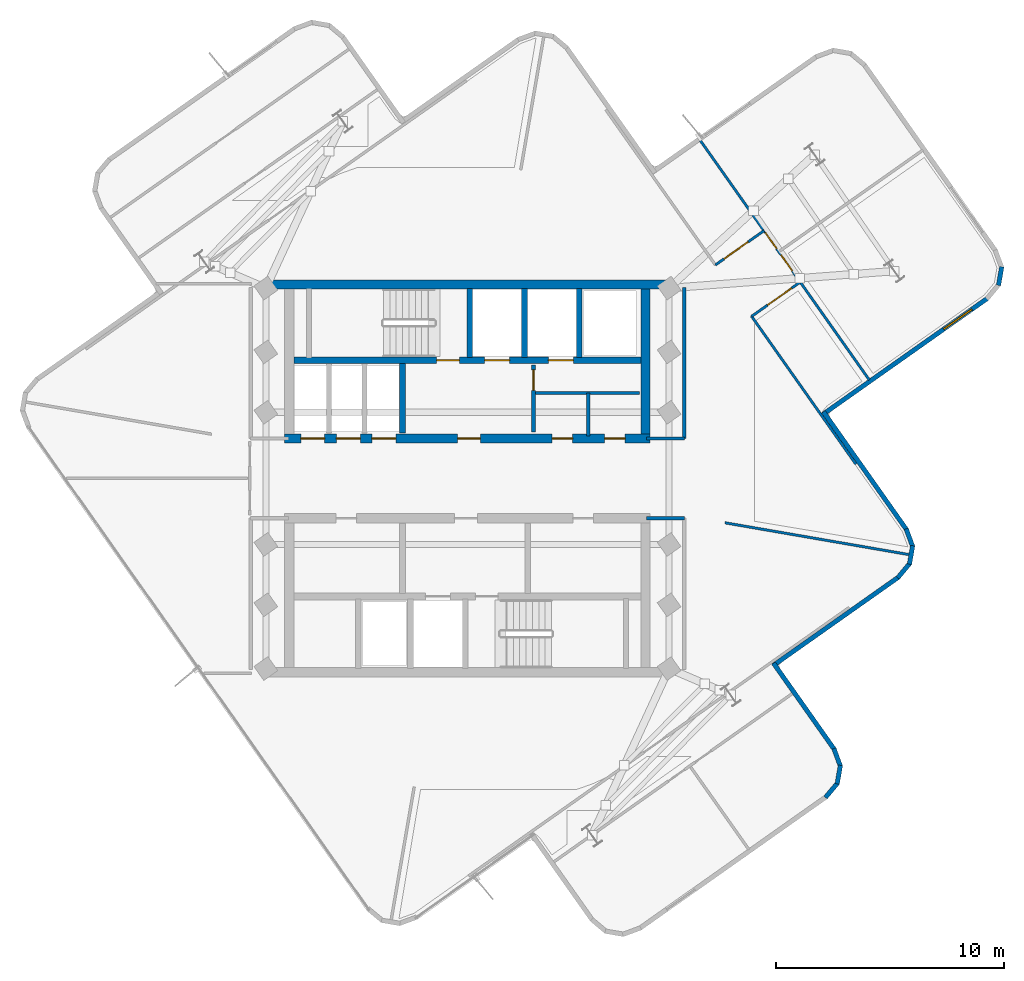
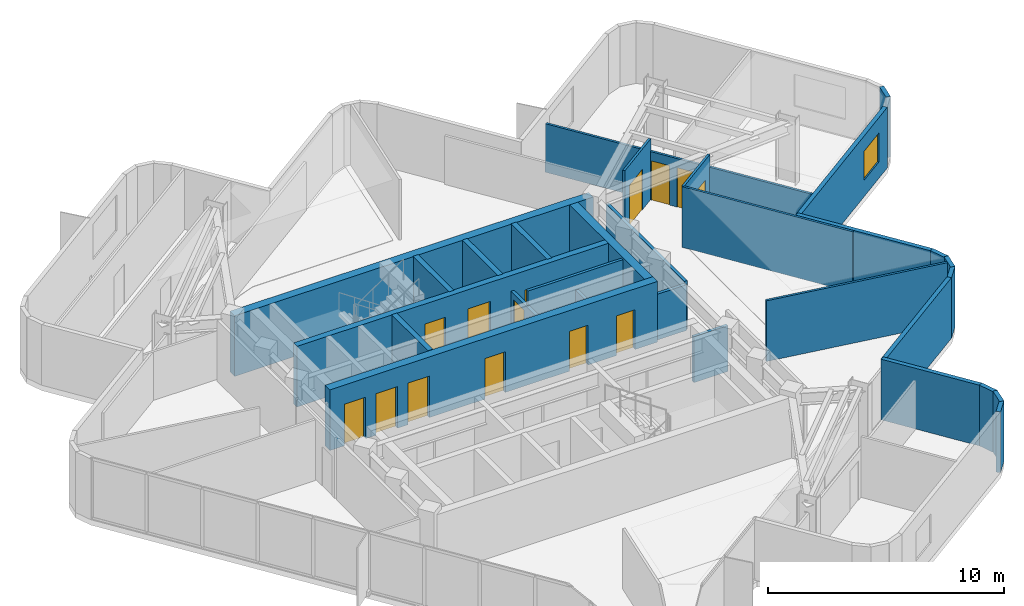
# One storey, part 6 of 9: 30 walls, 14 doors, 1 window, 15 openings.
"""IFC4 building model written with IfcOpenShell, lengths in metres."""

from ifc_helpers import new_model, si_unit, direction, frame, frame_2d, origin, place, context, subcontext, project, spatial, rectangle, extrude, material, layer, layer_set, type_object, element, fill, save


model = new_model("IFC4")

# Units and contexts
model_context = context("Model", 3, precision=1e-05, world=origin(), true_north=direction((0.0, 1.0)))
body_context = subcontext(model_context, "Body", "Model", "MODEL_VIEW")
ifc_project = project(units=[si_unit("LENGTHUNIT", "METRE"), si_unit("AREAUNIT", "SQUARE_METRE"), si_unit("VOLUMEUNIT", "CUBIC_METRE"), si_unit("PLANEANGLEUNIT", "RADIAN"), si_unit("MASSUNIT", "GRAM", prefix="KILO")], contexts=[model_context])

# Site, building, storey
site_placement = place(None, origin())
site = spatial("IfcSite", under=ifc_project, at=site_placement, CompositionType="ELEMENT")
building_placement = place(site_placement, origin())
building = spatial("IfcBuilding", under=site, at=building_placement, Name="Solmarez Civic Tower", CompositionType="ELEMENT")
storey_placement = place(building_placement, frame((0.0, 0.0, 222.300048828125)))
storey = spatial("IfcBuildingStorey", under=building, at=storey_placement, Name="L59", CompositionType="ELEMENT", Elevation=222.300048828125)

# Wall
ifc_material_1 = material(Name="Concrete C50/60", Category="concrete")
ifc_layer_1 = layer(ifc_material_1, 0.39990234375)
ifc_layer_set_1 = layer_set([ifc_layer_1], Name="Concrete C50/60")
wall_type_1 = type_object("IfcWallType", Name="WALL-CORE-400", PredefinedType="SHEAR", material=ifc_layer_set_1)
wall_1_placement = place(storey_placement, frame((-8.780029296875, 8.510009765625, 0.0), z_axis=(0.0, 0.0, 1.0), x_axis=(1.0, 0.0, 0.0)))
element("IfcWall", 1, at=wall_1_placement, inside=storey, type_object=wall_type_1, Name="L59 Split-Core Structural Wall NCW-N-L59", PredefinedType="SHEAR", context=body_context, shape_type="SweptSolid", body=[
    extrude(rectangle(XDim=17.56005859375, YDim=0.39990234375, at=frame_2d((8.780029296875, 0.0))), origin(), (0.0, 0.0, 1.0), 3.139892578125),
])

# Wall, openings, doors
wall_2_placement = place(storey_placement, frame((8.02001953125, 1.75, 0.0), z_axis=(0.0, 0.0, 1.0), x_axis=(-1.0, 0.0, 0.0)))
wall_2 = element("IfcWall", 2, at=wall_2_placement, inside=storey, type_object=wall_type_1, Name="L59 Split-Core Structural Wall NCW-S-L59", PredefinedType="SHEAR", context=body_context, shape_type="SweptSolid", body=[
    extrude(rectangle(XDim=16.0400390625, YDim=0.39990234375, at=frame_2d((8.02001953125, 0.0))), origin(), (0.0, 0.0, 1.0), 3.139892578125),
])
opening_1_placement = place(wall_2_placement, frame((7.449951171875, 0.0, 0.0)))
opening_1 = element("IfcOpeningElement", 3, at=opening_1_placement, cuts=wall_2, Name="Opening D-04", PredefinedType="OPENING", context=body_context, shape_type="SweptSolid", body=[
    extrude(rectangle(XDim=1.0, YDim=2.10009765625, at=frame_2d((0.5, 1.050048828125))), frame((0.0, 0.2099609375, 0.0), z_axis=(0.0, -1.0, 0.0), x_axis=(1.0, 0.0, 0.0)), (0.0, 0.0, 1.0), 0.419921875),
])
opening_2_placement = place(wall_2_placement, frame((14.284912109375, 0.0, 0.0)))
opening_2 = element("IfcOpeningElement", 4, at=opening_2_placement, cuts=wall_2, Name="Opening LD-01", PredefinedType="OPENING", context=body_context, shape_type="SweptSolid", body=[
    extrude(rectangle(XDim=1.050048828125, YDim=2.14990234375, at=frame_2d((0.52490234375, 1.074951171875))), frame((0.0, 0.2099609375, 0.0), z_axis=(0.0, -1.0, 0.0), x_axis=(1.0, 0.0, 0.0)), (0.0, 0.0, 1.0), 0.419921875),
])
opening_3_placement = place(wall_2_placement, frame((12.72509765625, 0.0, 0.0)))
opening_3 = element("IfcOpeningElement", 5, at=opening_3_placement, cuts=wall_2, Name="Opening LD-01", PredefinedType="OPENING", context=body_context, shape_type="SweptSolid", body=[
    extrude(rectangle(XDim=1.050048828125, YDim=2.14990234375, at=frame_2d((0.52490234375, 1.074951171875))), frame((0.0, 0.2099609375, 0.0), z_axis=(0.0, -1.0, 0.0), x_axis=(1.0, 0.0, 0.0)), (0.0, 0.0, 1.0), 0.419921875),
])
opening_4_placement = place(wall_2_placement, frame((11.1650390625, 0.0, 0.0)))
opening_4 = element("IfcOpeningElement", 6, at=opening_4_placement, cuts=wall_2, Name="Opening LD-01", PredefinedType="OPENING", context=body_context, shape_type="SweptSolid", body=[
    extrude(rectangle(XDim=1.050048828125, YDim=2.14990234375, at=frame_2d((0.52490234375, 1.074951171875))), frame((0.0, 0.2099609375, 0.0), z_axis=(0.0, -1.0, 0.0), x_axis=(1.0, 0.0, 0.0)), (0.0, 0.0, 1.0), 0.419921875),
])
opening_5_placement = place(wall_2_placement, frame((3.39990234375, 0.0, 0.0)))
opening_5 = element("IfcOpeningElement", 7, at=opening_5_placement, cuts=wall_2, Name="Opening D-09", PredefinedType="OPENING", context=body_context, shape_type="SweptSolid", body=[
    extrude(rectangle(XDim=0.89990234375, YDim=2.06005859375, at=frame_2d((0.449951171875, 1.030029296875))), frame((0.0, 0.2099609375, 0.0), z_axis=(0.0, -1.0, 0.0), x_axis=(1.0, 0.0, 0.0)), (0.0, 0.0, 1.0), 0.419921875),
])
opening_6_placement = place(wall_2_placement, frame((1.10009765625, 0.0, 0.0)))
opening_6 = element("IfcOpeningElement", 8, at=opening_6_placement, cuts=wall_2, Name="Opening D-09", PredefinedType="OPENING", context=body_context, shape_type="SweptSolid", body=[
    extrude(rectangle(XDim=0.89990234375, YDim=2.06005859375, at=frame_2d((0.449951171875, 1.030029296875))), frame((0.0, 0.2099609375, 0.0), z_axis=(0.0, -1.0, 0.0), x_axis=(1.0, 0.0, 0.0)), (0.0, 0.0, 1.0), 0.419921875),
])
ifc_material_2 = material(Name="Steel-Faced Acoustic Fire Door", Category="steel")
door_type_1 = type_object("IfcDoorType", Name="DOOR-FD60-1000", OperationType="NOTDEFINED", PredefinedType="DOOR", material=ifc_material_2)
door_1_placement = place(opening_1_placement, origin())
door_1 = element("IfcDoor", 9, at=door_1_placement, inside=storey, type_object=door_type_1, Name="L59 North Firefighting Lobby Door", OperationType="SINGLE_SWING_RIGHT", OverallHeight=2.10009765625, OverallWidth=1.0, PredefinedType="DOOR", context=body_context, shape_type="SweptSolid", body=[
    extrude(rectangle(XDim=1.0, YDim=2.10009765625, at=frame_2d((0.5, 1.050048828125))), frame((0.0, 0.02490234375, 0.0), z_axis=(0.0, -1.0, 0.0), x_axis=(1.0, 0.0, 0.0)), (0.0, 0.0, 1.0), 0.050048828125),
])
fill(opening_1, door_1)
ifc_material_3 = material(Name="Fire-Rated Service Core Door", Category="wood")
door_type_2 = type_object("IfcDoorType", Name="DOOR-FD60-900", OperationType="NOTDEFINED", PredefinedType="DOOR", material=ifc_material_3)
door_2_placement = place(opening_5_placement, origin())
door_2 = element("IfcDoor", 10, at=door_2_placement, inside=storey, type_object=door_type_2, Name="L59 Core WC Door", OperationType="SINGLE_SWING_LEFT", OverallHeight=2.06005859375, OverallWidth=0.89990234375, PredefinedType="DOOR", context=body_context, shape_type="SweptSolid", body=[
    extrude(rectangle(XDim=0.89990234375, YDim=2.06005859375, at=frame_2d((0.449951171875, 1.030029296875))), frame((0.0, 0.02490234375, 0.0), z_axis=(0.0, -1.0, 0.0), x_axis=(1.0, 0.0, 0.0)), (0.0, 0.0, 1.0), 0.050048828125),
])
fill(opening_5, door_2)
door_3_placement = place(opening_6_placement, origin())
door_3 = element("IfcDoor", 11, at=door_3_placement, inside=storey, type_object=door_type_2, Name="L59 Core CL Door", OperationType="SINGLE_SWING_RIGHT", OverallHeight=2.06005859375, OverallWidth=0.89990234375, PredefinedType="DOOR", context=body_context, shape_type="SweptSolid", body=[
    extrude(rectangle(XDim=0.89990234375, YDim=2.06005859375, at=frame_2d((0.449951171875, 1.030029296875))), frame((0.0, 0.02490234375, 0.0), z_axis=(0.0, -1.0, 0.0), x_axis=(1.0, 0.0, 0.0)), (0.0, 0.0, 1.0), 0.050048828125),
])
fill(opening_6, door_3)
ifc_material_4 = material(Name="Bronze Passenger Lift Landing Sliding Door", Category="aluminium")
door_type_3 = type_object("IfcDoorType", Name="DOOR-LD-PAX-1050", OperationType="DOUBLE_DOOR_SLIDING", PredefinedType="DOOR", material=ifc_material_4)
door_4_placement = place(opening_2_placement, origin())
door_4 = element("IfcDoor", 12, at=door_4_placement, inside=storey, type_object=door_type_3, Name="L59 High-Rise Lift Landing Door PL-H1", OperationType="DOUBLE_DOOR_SLIDING", OverallHeight=2.14990234375, OverallWidth=1.050048828125, PredefinedType="DOOR", context=body_context, shape_type="SweptSolid", body=[
    extrude(rectangle(XDim=1.050048828125, YDim=2.14990234375, at=frame_2d((0.52490234375, 1.074951171875))), frame((0.0, 0.02490234375, 0.0), z_axis=(0.0, -1.0, 0.0), x_axis=(1.0, 0.0, 0.0)), (0.0, 0.0, 1.0), 0.050048828125),
])
fill(opening_2, door_4)
door_5_placement = place(opening_3_placement, origin())
door_5 = element("IfcDoor", 13, at=door_5_placement, inside=storey, type_object=door_type_3, Name="L59 High-Rise Lift Landing Door PL-H2", OperationType="DOUBLE_DOOR_SLIDING", OverallHeight=2.14990234375, OverallWidth=1.050048828125, PredefinedType="DOOR", context=body_context, shape_type="SweptSolid", body=[
    extrude(rectangle(XDim=1.050048828125, YDim=2.14990234375, at=frame_2d((0.52490234375, 1.074951171875))), frame((0.0, 0.02490234375, 0.0), z_axis=(0.0, -1.0, 0.0), x_axis=(1.0, 0.0, 0.0)), (0.0, 0.0, 1.0), 0.050048828125),
])
fill(opening_3, door_5)
door_6_placement = place(opening_4_placement, origin())
door_6 = element("IfcDoor", 14, at=door_6_placement, inside=storey, type_object=door_type_3, Name="L59 High-Rise Lift Landing Door PL-H3", OperationType="DOUBLE_DOOR_SLIDING", OverallHeight=2.14990234375, OverallWidth=1.050048828125, PredefinedType="DOOR", context=body_context, shape_type="SweptSolid", body=[
    extrude(rectangle(XDim=1.050048828125, YDim=2.14990234375, at=frame_2d((0.52490234375, 1.074951171875))), frame((0.0, 0.02490234375, 0.0), z_axis=(0.0, -1.0, 0.0), x_axis=(1.0, 0.0, 0.0)), (0.0, 0.0, 1.0), 0.050048828125),
])
fill(opening_4, door_6)

# Walls
wall_3_placement = place(storey_placement, frame((7.820068359375, 8.31005859375, 0.0), z_axis=(0.0, 0.0, 1.0), x_axis=(0.0, -1.0, 0.0)))
element("IfcWall", 15, at=wall_3_placement, inside=storey, type_object=wall_type_1, Name="L59 Split-Core Structural Wall NCW-E-L59", PredefinedType="SHEAR", context=body_context, shape_type="SweptSolid", body=[
    extrude(rectangle(XDim=6.360107421875, YDim=0.39990234375, at=frame_2d((3.18017578125, 0.0))), origin(), (0.0, 0.0, 1.0), 3.139892578125),
])
ifc_material_5 = material(Name="Precast concrete C40/50", Category="concrete")
ifc_layer_2 = layer(ifc_material_5, 0.199951171875)
ifc_layer_set_2 = layer_set([ifc_layer_2], Name="Precast concrete C40/50")
wall_type_2 = type_object("IfcWallType", Name="WALL-EXT-200", PredefinedType="SOLIDWALL", material=ifc_layer_set_2)
wall_4_placement = place(storey_placement, frame((23.449951171875, 9.284912109375, 0.0), z_axis=(0.0, 0.0, 1.0), x_axis=(-0.169382242965, -0.985550432889, 0.0)))
element("IfcWall", 16, at=wall_4_placement, inside=storey, type_object=wall_type_2, Name="L59 Exterior Precast Wall 37", PredefinedType="SOLIDWALL", context=body_context, shape_type="SweptSolid", body=[
    extrude(rectangle(XDim=0.825927734375, YDim=0.199951171875, at=frame_2d((0.4130859375, 0.0))), origin(), (0.0, 0.0, 1.0), 3.139892578125),
])

# Wall, opening, window
wall_5_placement = place(storey_placement, frame((22.8291015625, 7.905029296875, 0.0), z_axis=(0.0, 0.0, 1.0), x_axis=(-0.817135410946, -0.576445765166, 0.0)))
wall_5 = element("IfcWall", 17, at=wall_5_placement, inside=storey, type_object=wall_type_2, Name="L59 Exterior Precast Wall 39", PredefinedType="SOLIDWALL", context=body_context, shape_type="SweptSolid", body=[
    extrude(rectangle(XDim=8.842041015625, YDim=0.199951171875, at=frame_2d((4.4208984375, 0.0))), origin(), (0.0, 0.0, 1.0), 3.139892578125),
])
opening_7_placement = place(wall_5_placement, frame((0.85009765625, 0.0, 0.85009765625)))
opening_7 = element("IfcOpeningElement", 18, at=opening_7_placement, cuts=wall_5, Name="Opening W-14", PredefinedType="OPENING", context=body_context, shape_type="SweptSolid", body=[
    extrude(rectangle(XDim=1.5, YDim=1.5, at=frame_2d((0.75, 0.75))), frame((0.0, 0.10986328125, 0.0), z_axis=(0.0, -1.0, 0.0), x_axis=(1.0, 0.0, 0.0)), (0.0, 0.0, 1.0), 0.219970703125),
])
ifc_material_6 = material(Name="Solar Control Bronze-Tinted Insulating Glass", Category="glass")
window_type = type_object("IfcWindowType", Name="WIN-1500X1500", PartitioningType="SINGLE_PANEL", PredefinedType="WINDOW", material=ifc_material_6)
window_placement = place(opening_7_placement, origin())
window = element("IfcWindow", 19, at=window_placement, inside=storey, type_object=window_type, Name="L59 Exterior Facade Window 39", OverallHeight=1.5, OverallWidth=1.5, PartitioningType="SINGLE_PANEL", PredefinedType="WINDOW", context=body_context, shape_type="SweptSolid", body=[
    extrude(rectangle(XDim=1.5, YDim=1.5, at=frame_2d((0.75, 0.75))), frame((0.0, 0.030029296875, 0.0), z_axis=(0.0, -1.0, 0.0), x_axis=(1.0, 0.0, 0.0)), (0.0, 0.0, 1.0), 0.06005859375),
])
fill(opening_7, window)

# Walls
wall_6_placement = place(storey_placement, frame((15.623046875, 2.9189453125, 0.0), z_axis=(0.0, 0.0, 1.0), x_axis=(0.576566796686, -0.817050016192, 0.0)))
element("IfcWall", 20, at=wall_6_placement, inside=storey, type_object=wall_type_2, Name="L59 Exterior Precast Wall 42", PredefinedType="SOLIDWALL", context=body_context, shape_type="SweptSolid", body=[
    extrude(rectangle(XDim=6.341064453125, YDim=0.199951171875, at=frame_2d((3.17041015625, 0.0))), origin(), (0.0, 0.0, 1.0), 3.139892578125),
])
wall_7_placement = place(storey_placement, frame((19.256103515625, -2.218994140625, 0.0), z_axis=(0.0, 0.0, 1.0), x_axis=(0.345975487894, -0.938243551417, 0.0)))
element("IfcWall", 21, at=wall_7_placement, inside=storey, type_object=wall_type_2, Name="L59 Exterior Precast Wall 43", PredefinedType="SOLIDWALL", context=body_context, shape_type="SweptSolid", body=[
    extrude(rectangle(XDim=0.837646484375, YDim=0.199951171875, at=frame_2d((0.4189453125, 0.0))), origin(), (0.0, 0.0, 1.0), 3.139892578125),
])
wall_8_placement = place(storey_placement, frame((19.541015625, -2.95703125, 0.0), z_axis=(0.0, 0.0, 1.0), x_axis=(-0.169867275979, -0.985466949497, 0.0)))
element("IfcWall", 22, at=wall_8_placement, inside=storey, type_object=wall_type_2, Name="L59 Exterior Precast Wall 44", PredefinedType="SOLIDWALL", context=body_context, shape_type="SweptSolid", body=[
    extrude(rectangle(XDim=0.824951171875, YDim=0.199951171875, at=frame_2d((0.41259765625, 0.0))), origin(), (0.0, 0.0, 1.0), 3.139892578125),
])
wall_9_placement = place(storey_placement, frame((19.4208984375, -3.72607421875, 0.0), z_axis=(0.0, 0.0, 1.0), x_axis=(-0.639610986305, -0.768698761673, 0.0)))
element("IfcWall", 23, at=wall_9_placement, inside=storey, type_object=wall_type_2, Name="L59 Exterior Precast Wall 45", PredefinedType="SOLIDWALL", context=body_context, shape_type="SweptSolid", body=[
    extrude(rectangle(XDim=0.837890625, YDim=0.199951171875, at=frame_2d((0.4189453125, 0.0))), origin(), (0.0, 0.0, 1.0), 3.139892578125),
])
wall_10_placement = place(storey_placement, frame((18.9208984375, -4.3369140625, 0.0), z_axis=(0.0, 0.0, 1.0), x_axis=(-0.817167578816, -0.576400163196, 0.0)))
element("IfcWall", 24, at=wall_10_placement, inside=storey, type_object=wall_type_2, Name="L59 Exterior Precast Wall 46", PredefinedType="SOLIDWALL", context=body_context, shape_type="SweptSolid", body=[
    extrude(rectangle(XDim=6.740234375, YDim=0.199951171875, at=frame_2d((3.3701171875, 0.0))), origin(), (0.0, 0.0, 1.0), 3.139892578125),
])
wall_11_placement = place(storey_placement, frame((13.431884765625, -8.111083984375, 0.0), z_axis=(0.0, 0.0, 1.0), x_axis=(0.576445639344, -0.817135499707, 0.0)))
element("IfcWall", 25, at=wall_11_placement, inside=storey, type_object=wall_type_2, Name="L59 Exterior Precast Wall 49", PredefinedType="SOLIDWALL", context=body_context, shape_type="SweptSolid", body=[
    extrude(rectangle(XDim=4.640625, YDim=0.199951171875, at=frame_2d((2.3203125, 0.0))), origin(), (0.0, 0.0, 1.0), 3.139892578125),
])
wall_12_placement = place(storey_placement, frame((16.083984375, -11.860107421875, 0.0), z_axis=(0.0, 0.0, 1.0), x_axis=(0.346232030844, -0.938148911857, 0.0)))
element("IfcWall", 26, at=wall_12_placement, inside=storey, type_object=wall_type_2, Name="L59 Exterior Precast Wall 50", PredefinedType="SOLIDWALL", context=body_context, shape_type="SweptSolid", body=[
    extrude(rectangle(XDim=0.837646484375, YDim=0.199951171875, at=frame_2d((0.4189453125, 0.0))), origin(), (0.0, 0.0, 1.0), 3.139892578125),
])
wall_13_placement = place(storey_placement, frame((16.368896484375, -12.597900390625, 0.0), z_axis=(0.0, 0.0, 1.0), x_axis=(-0.169332910212, -0.985558910223, 0.0)))
element("IfcWall", 27, at=wall_13_placement, inside=storey, type_object=wall_type_2, Name="L59 Exterior Precast Wall 51", PredefinedType="SOLIDWALL", context=body_context, shape_type="SweptSolid", body=[
    extrude(rectangle(XDim=0.826171875, YDim=0.199951171875, at=frame_2d((0.4130859375, 0.0))), origin(), (0.0, 0.0, 1.0), 3.139892578125),
])
wall_14_placement = place(storey_placement, frame((16.2490234375, -13.367919921875, 0.0), z_axis=(0.0, 0.0, 1.0), x_axis=(-0.641043819012, -0.76750428149, 0.0)))
element("IfcWall", 28, at=wall_14_placement, inside=storey, type_object=wall_type_2, Name="L59 Exterior Precast Wall 52", PredefinedType="SOLIDWALL", context=body_context, shape_type="SweptSolid", body=[
    extrude(rectangle(XDim=0.837890625, YDim=0.199951171875, at=frame_2d((0.4189453125, 0.0))), origin(), (0.0, 0.0, 1.0), 3.139892578125),
])
ifc_material_7 = material(Name="Gypsum Board Acoustic Steel-Stud Partition", Category="steel")
ifc_layer_3 = layer(ifc_material_7, 0.14990234375)
ifc_layer_set_3 = layer_set([ifc_layer_3], Name="Gypsum Board Acoustic Steel-Stud Partition")
wall_type_3 = type_object("IfcWallType", Name="WALL-INT-FIRE-150", PredefinedType="PARTITIONING", material=ifc_layer_set_3)
wall_15_placement = place(storey_placement, frame((9.52001953125, 1.75, 0.0), z_axis=(0.0, 0.0, 1.0), x_axis=(0.0, 1.0, 0.0)))
element("IfcWall", 29, at=wall_15_placement, inside=storey, type_object=wall_type_3, Name="L59 Interior Partition CHW-L59-EN1", PredefinedType="PARTITIONING", context=body_context, shape_type="SweptSolid", body=[
    extrude(rectangle(XDim=6.6298828125, YDim=0.14990234375, at=frame_2d((3.31494140625, 0.0))), origin(), (0.0, 0.0, 1.0), 2.510009765625),
])
for number, where, z_axis, x_axis, name in (
    (30, (7.85009765625, 1.75, 0.0), (0.0, 0.0, 1.0), (1.0, 0.0, 0.0), "L59 Interior Partition CHW-L59-EN3"),
    (31, (7.85009765625, -1.75, 0.0), (0.0, 0.0, 1.0), (1.0, 0.0, 0.0), "L59 Interior Partition CHW-L59-ES3"),
):
    element("IfcWall", number, at=place(storey_placement, frame(where, z_axis=z_axis, x_axis=x_axis)), inside=storey, type_object=wall_type_3, Name=name, PredefinedType="PARTITIONING", context=body_context, shape_type="SweptSolid", body=[
        extrude(rectangle(XDim=1.669921875, YDim=0.14990234375, at=frame_2d((0.8349609375, 0.0))), origin(), (0.0, 0.0, 1.0), 2.369873046875),
    ])
ifc_layer_4 = layer(ifc_material_7, 0.110107421875)
ifc_layer_set_4 = layer_set([ifc_layer_4], Name="Gypsum Board Acoustic Steel-Stud Partition")
wall_type_4 = type_object("IfcWallType", Name="WALL-INT-PART-110", PredefinedType="PARTITIONING", material=ifc_layer_set_4)
wall_16_placement = place(storey_placement, frame((11.300048828125, -1.950927734375, 0.0), z_axis=(0.0, 0.0, 1.0), x_axis=(0.985391330126, -0.170305391905, 0.0)))
element("IfcWall", 32, at=wall_16_placement, inside=storey, type_object=wall_type_4, Name="L59 Interior Partition PT-L59-QDIV-4", PredefinedType="PARTITIONING", context=body_context, shape_type="SweptSolid", body=[
    extrude(rectangle(XDim=8.22705078125, YDim=0.110107421875, at=frame_2d((4.113525390625, 0.0))), origin(), (0.0, 0.0, 1.0), 3.139892578125),
])
wall_17_placement = place(storey_placement, frame((17.049072265625, 0.62109375, 0.0), z_axis=(0.0, 0.0, 1.0), x_axis=(-0.57635038395, 0.817202689007, 0.0)))
element("IfcWall", 33, at=wall_17_placement, inside=storey, type_object=wall_type_4, Name="L59 Interior Partition PT-L59-E-EFR", PredefinedType="PARTITIONING", context=body_context, shape_type="SweptSolid", body=[
    extrude(rectangle(XDim=7.9501953125, YDim=0.110107421875, at=frame_2d((3.97509765625, 0.0))), origin(), (0.0, 0.0, 1.0), 3.139892578125),
])

# Wall, opening, door
wall_18_placement = place(storey_placement, frame((13.013916015625, 10.868896484375, 0.0), z_axis=(0.0, 0.0, 1.0), x_axis=(-0.817133808286, -0.576448036995, 0.0)))
wall_18 = element("IfcWall", 34, at=wall_18_placement, inside=storey, type_object=wall_type_4, Name="L59 Interior Partition PT-L59-E-SL", PredefinedType="PARTITIONING", context=body_context, shape_type="SweptSolid", body=[
    extrude(rectangle(XDim=2.60888671875, YDim=0.110107421875, at=frame_2d((1.304443359375, 0.0))), origin(), (0.0, 0.0, 1.0), 3.139892578125),
])
opening_8_placement = place(wall_18_placement, frame((0.85400390625, 0.0, 0.0)))
opening_8 = element("IfcOpeningElement", 35, at=opening_8_placement, cuts=wall_18, Name="Opening D-15", PredefinedType="OPENING", context=body_context, shape_type="SweptSolid", body=[
    extrude(rectangle(XDim=1.300048828125, YDim=2.10009765625, at=frame_2d((0.64990234375, 1.050048828125))), frame((0.0, 0.06494140625, 0.0), z_axis=(0.0, -1.0, 0.0), x_axis=(1.0, 0.0, 0.0)), (0.0, 0.0, 1.0), 0.130126953125),
])
ifc_material_8 = material(Name="Tribunal Hearing Conference Door", Category="wood")
door_type_4 = type_object("IfcDoorType", Name="DOOR-INT-1300", OperationType="NOTDEFINED", PredefinedType="DOOR", material=ifc_material_8)
door_7_placement = place(opening_8_placement, origin())
door_7 = element("IfcDoor", 36, at=door_7_placement, inside=storey, type_object=door_type_4, Name="L59 Citizen Consultation Room East Door", OperationType="SINGLE_SWING_LEFT", OverallHeight=2.10009765625, OverallWidth=1.300048828125, PredefinedType="DOOR", context=body_context, shape_type="SweptSolid", body=[
    extrude(rectangle(XDim=1.300048828125, YDim=2.10009765625, at=frame_2d((0.64990234375, 1.050048828125))), frame((0.0, 0.02490234375, 0.0), z_axis=(0.0, -1.0, 0.0), x_axis=(1.0, 0.0, 0.0)), (0.0, 0.0, 1.0), 0.050048828125),
])
fill(opening_8, door_7)

wall_19_placement = place(storey_placement, frame((12.471923828125, 7.110107421875, 0.0), z_axis=(0.0, 0.0, 1.0), x_axis=(0.81728919746, 0.576227704745, 0.0)))
wall_19 = element("IfcWall", 37, at=wall_19_placement, inside=storey, type_object=wall_type_4, Name="L59 Interior Partition PT-L59-E-SR", PredefinedType="PARTITIONING", context=body_context, shape_type="SweptSolid", body=[
    extrude(rectangle(XDim=2.60986328125, YDim=0.110107421875, at=frame_2d((1.304931640625, 0.0))), origin(), (0.0, 0.0, 1.0), 3.139892578125),
])
opening_9_placement = place(wall_19_placement, frame((0.85498046875, 0.0, 0.0)))
opening_9 = element("IfcOpeningElement", 38, at=opening_9_placement, cuts=wall_19, Name="Opening D-15", PredefinedType="OPENING", context=body_context, shape_type="SweptSolid", body=[
    extrude(rectangle(XDim=1.300048828125, YDim=2.10009765625, at=frame_2d((0.64990234375, 1.050048828125))), frame((0.0, 0.06494140625, 0.0), z_axis=(0.0, -1.0, 0.0), x_axis=(1.0, 0.0, 0.0)), (0.0, 0.0, 1.0), 0.130126953125),
])
door_8_placement = place(opening_9_placement, origin())
door_8 = element("IfcDoor", 39, at=door_8_placement, inside=storey, type_object=door_type_4, Name="L59 Policy Administration Office East Door", OperationType="SINGLE_SWING_RIGHT", OverallHeight=2.10009765625, OverallWidth=1.300048828125, PredefinedType="DOOR", context=body_context, shape_type="SweptSolid", body=[
    extrude(rectangle(XDim=1.300048828125, YDim=2.10009765625, at=frame_2d((0.64990234375, 1.050048828125))), frame((0.0, 0.02490234375, 0.0), z_axis=(0.0, -1.0, 0.0), x_axis=(1.0, 0.0, 0.0)), (0.0, 0.0, 1.0), 0.050048828125),
])
fill(opening_9, door_8)

# Wall, openings, doors
wall_20_placement = place(storey_placement, frame((10.215087890625, 14.8359375, 0.0), z_axis=(0.0, 0.0, 1.0), x_axis=(0.576525296339, -0.817079300118, 0.0)))
wall_20 = element("IfcWall", 40, at=wall_20_placement, inside=storey, type_object=wall_type_4, Name="L59 Interior Partition PT-L59-E-END", PredefinedType="PARTITIONING", context=body_context, shape_type="SweptSolid", body=[
    extrude(rectangle(XDim=12.8701171875, YDim=0.110107421875, at=frame_2d((6.43505859375, 0.0))), origin(), (0.0, 0.0, 1.0), 2.510009765625),
])
opening_10_placement = place(wall_20_placement, frame((6.155029296875, 0.0, 0.0)))
opening_10 = element("IfcOpeningElement", 41, at=opening_10_placement, cuts=wall_20, Name="Opening D-14", PredefinedType="OPENING", context=body_context, shape_type="SweptSolid", body=[
    extrude(rectangle(XDim=0.860107421875, YDim=2.0400390625, at=frame_2d((0.43017578125, 1.02001953125))), frame((0.0, 0.06494140625, 0.0), z_axis=(0.0, -1.0, 0.0), x_axis=(1.0, 0.0, 0.0)), (0.0, 0.0, 1.0), 0.130126953125),
])
opening_11_placement = place(wall_20_placement, frame((4.955078125, 0.0, 0.0)))
opening_11 = element("IfcOpeningElement", 42, at=opening_11_placement, cuts=wall_20, Name="Opening D-14", PredefinedType="OPENING", context=body_context, shape_type="SweptSolid", body=[
    extrude(rectangle(XDim=0.860107421875, YDim=2.0400390625, at=frame_2d((0.43017578125, 1.02001953125))), frame((0.0, 0.06494140625, 0.0), z_axis=(0.0, -1.0, 0.0), x_axis=(1.0, 0.0, 0.0)), (0.0, 0.0, 1.0), 0.130126953125),
])
ifc_material_9 = material(Name="Timber Storage and Pantry Door", Category="wood")
door_type_5 = type_object("IfcDoorType", Name="DOOR-INT-850", OperationType="NOTDEFINED", PredefinedType="DOOR", material=ifc_material_9)
door_9_placement = place(opening_10_placement, origin())
door_9 = element("IfcDoor", 43, at=door_9_placement, inside=storey, type_object=door_type_5, Name="L59 Legal Counselling Room Sixth East Door", OperationType="SINGLE_SWING_RIGHT", OverallHeight=2.0400390625, OverallWidth=0.860107421875, PredefinedType="DOOR", context=body_context, shape_type="SweptSolid", body=[
    extrude(rectangle(XDim=0.860107421875, YDim=2.0400390625, at=frame_2d((0.43017578125, 1.02001953125))), frame((0.0, 0.02490234375, 0.0), z_axis=(0.0, -1.0, 0.0), x_axis=(1.0, 0.0, 0.0)), (0.0, 0.0, 1.0), 0.050048828125),
])
fill(opening_10, door_9)
door_10_placement = place(opening_11_placement, origin())
door_10 = element("IfcDoor", 44, at=door_10_placement, inside=storey, type_object=door_type_5, Name="L59 Directorate Office Fifth East Door", OperationType="SINGLE_SWING_LEFT", OverallHeight=2.0400390625, OverallWidth=0.860107421875, PredefinedType="DOOR", context=body_context, shape_type="SweptSolid", body=[
    extrude(rectangle(XDim=0.860107421875, YDim=2.0400390625, at=frame_2d((0.43017578125, 1.02001953125))), frame((0.0, 0.02490234375, 0.0), z_axis=(0.0, -1.0, 0.0), x_axis=(1.0, 0.0, 0.0)), (0.0, 0.0, 1.0), 0.050048828125),
])
fill(opening_11, door_10)

# Wall, opening, door
ifc_layer_5 = layer(ifc_material_7, 0.159912109375)
ifc_layer_set_5 = layer_set([ifc_layer_5], Name="Gypsum Board Acoustic Steel-Stud Partition")
wall_type_5 = type_object("IfcWallType", Name="WALL-INT-SHAFT-160", PredefinedType="PARTITIONING", material=ifc_layer_set_5)
wall_21_placement = place(storey_placement, frame((2.89990234375, 2.0400390625, 0.0), z_axis=(0.0, 0.0, 1.0), x_axis=(0.0, 1.0, 0.0)))
wall_21 = element("IfcWall", 45, at=wall_21_placement, inside=storey, type_object=wall_type_5, Name="L59 Interior Partition SHW-NL2-L59", PredefinedType="PARTITIONING", context=body_context, shape_type="SweptSolid", body=[
    extrude(rectangle(XDim=2.93994140625, YDim=0.159912109375, at=frame_2d((1.469970703125, 0.0))), origin(), (0.0, 0.0, 1.0), 2.369873046875),
])
opening_12_placement = place(wall_21_placement, frame((1.820068359375, 0.0, 0.0)))
opening_12 = element("IfcOpeningElement", 46, at=opening_12_placement, cuts=wall_21, Name="Opening D-09", PredefinedType="OPENING", context=body_context, shape_type="SweptSolid", body=[
    extrude(rectangle(XDim=0.89990234375, YDim=2.06005859375, at=frame_2d((0.449951171875, 1.030029296875))), frame((0.0, 0.08984375, 0.0), z_axis=(0.0, -1.0, 0.0), x_axis=(1.0, 0.0, 0.0)), (0.0, 0.0, 1.0), 0.179931640625),
])
door_11_placement = place(opening_12_placement, origin())
door_11 = element("IfcDoor", 47, at=door_11_placement, inside=storey, type_object=door_type_2, Name="L59 Service Lift Lobby Door", OperationType="SINGLE_SWING_LEFT", OverallHeight=2.06005859375, OverallWidth=0.89990234375, PredefinedType="DOOR", context=body_context, shape_type="SweptSolid", body=[
    extrude(rectangle(XDim=0.89990234375, YDim=2.06005859375, at=frame_2d((0.449951171875, 1.030029296875))), frame((0.0, 0.02490234375, 0.0), z_axis=(0.0, -1.0, 0.0), x_axis=(1.0, 0.0, 0.0)), (0.0, 0.0, 1.0), 0.050048828125),
])
fill(opening_12, door_11)

# Walls
ifc_layer_6 = layer(ifc_material_7, 0.137939453125)
ifc_layer_set_6 = layer_set([ifc_layer_6], Name="Gypsum Board Acoustic Steel-Stud Partition")
wall_type_6 = type_object("IfcWallType", Name="WALL-INT-WET-140", PredefinedType="PARTITIONING", material=ifc_layer_set_6)
wall_22_placement = place(storey_placement, frame((2.89990234375, 3.739990234375, 0.0), z_axis=(0.0, 0.0, 1.0), x_axis=(1.0, 0.0, 0.0)))
element("IfcWall", 48, at=wall_22_placement, inside=storey, type_object=wall_type_6, Name="L59 Interior Partition SHW-SVH-L59", PredefinedType="PARTITIONING", context=body_context, shape_type="SweptSolid", body=[
    extrude(rectangle(XDim=4.650146484375, YDim=0.137939453125, at=frame_2d((2.3251953125, 0.0))), origin(), (0.0, 0.0, 1.0), 3.139892578125),
])
wall_23_placement = place(storey_placement, frame((5.300048828125, 1.85009765625, 0.0), z_axis=(0.0, 0.0, 1.0), x_axis=(0.0, 1.0, 0.0)))
element("IfcWall", 49, at=wall_23_placement, inside=storey, type_object=wall_type_6, Name="L59 Interior Partition PT-NCSV-L59", PredefinedType="PARTITIONING", context=body_context, shape_type="SweptSolid", body=[
    extrude(rectangle(XDim=1.889892578125, YDim=0.137939453125, at=frame_2d((0.94482421875, 0.0))), origin(), (0.0, 0.0, 1.0), 2.369873046875),
])

# Wall, openings, doors
ifc_layer_7 = layer(ifc_material_1, 0.300048828125)
ifc_layer_set_7 = layer_set([ifc_layer_7], Name="Concrete C50/60")
wall_type_7 = type_object("IfcWallType", Name="WALL-STR-300", PredefinedType="SOLIDWALL", material=ifc_layer_set_7)
wall_24_placement = place(storey_placement, frame((7.6201171875, 5.179931640625, 0.0), z_axis=(0.0, 0.0, 1.0), x_axis=(-1.0, 0.0, 0.0)))
wall_24 = element("IfcWall", 50, at=wall_24_placement, inside=storey, type_object=wall_type_7, Name="L59 Split-Core Structural Wall NCW-M-L59", PredefinedType="SOLIDWALL", context=body_context, shape_type="SweptSolid", body=[
    extrude(rectangle(XDim=15.240234375, YDim=0.300048828125, at=frame_2d((7.6201171875, 0.0))), origin(), (0.0, 0.0, 1.0), 3.139892578125),
])
opening_13_placement = place(wall_24_placement, frame((5.77001953125, 0.0, 0.0)))
opening_13 = element("IfcOpeningElement", 51, at=opening_13_placement, cuts=wall_24, Name="Opening LD-02", PredefinedType="OPENING", context=body_context, shape_type="SweptSolid", body=[
    extrude(rectangle(XDim=1.10009765625, YDim=2.14990234375, at=frame_2d((0.550048828125, 1.074951171875))), frame((0.0, 0.159912109375, 0.0), z_axis=(0.0, -1.0, 0.0), x_axis=(1.0, 0.0, 0.0)), (0.0, 0.0, 1.0), 0.320068359375),
])
opening_14_placement = place(wall_24_placement, frame((2.969970703125, 0.0, 0.0)))
opening_14 = element("IfcOpeningElement", 52, at=opening_14_placement, cuts=wall_24, Name="Opening LD-03", PredefinedType="OPENING", context=body_context, shape_type="SweptSolid", body=[
    extrude(rectangle(XDim=1.10009765625, YDim=2.14990234375, at=frame_2d((0.550048828125, 1.074951171875))), frame((0.0, 0.159912109375, 0.0), z_axis=(0.0, -1.0, 0.0), x_axis=(1.0, 0.0, 0.0)), (0.0, 0.0, 1.0), 0.320068359375),
])
opening_15_placement = place(wall_24_placement, frame((7.969970703125, 0.0, 0.0)))
opening_15 = element("IfcOpeningElement", 53, at=opening_15_placement, cuts=wall_24, Name="Opening D-05", PredefinedType="OPENING", context=body_context, shape_type="SweptSolid", body=[
    extrude(rectangle(XDim=1.0, YDim=2.10009765625, at=frame_2d((0.5, 1.050048828125))), frame((0.0, 0.159912109375, 0.0), z_axis=(0.0, -1.0, 0.0), x_axis=(1.0, 0.0, 0.0)), (0.0, 0.0, 1.0), 0.320068359375),
])
ifc_material_10 = material(Name="Fire-Rated Stairwell Exit Door", Category="wood")
door_type_6 = type_object("IfcDoorType", Name="DOOR-FD90-1000", OperationType="NOTDEFINED", PredefinedType="DOOR", material=ifc_material_10)
door_12_placement = place(opening_15_placement, origin())
door_12 = element("IfcDoor", 54, at=door_12_placement, inside=storey, type_object=door_type_6, Name="L59 North Exit Stair Door ST-1", OperationType="SINGLE_SWING_RIGHT", OverallHeight=2.10009765625, OverallWidth=1.0, PredefinedType="DOOR", context=body_context, shape_type="SweptSolid", body=[
    extrude(rectangle(XDim=1.0, YDim=2.10009765625, at=frame_2d((0.5, 1.050048828125))), frame((0.0, 0.02490234375, 0.0), z_axis=(0.0, -1.0, 0.0), x_axis=(1.0, 0.0, 0.0)), (0.0, 0.0, 1.0), 0.050048828125),
])
fill(opening_15, door_12)
ifc_material_11 = material(Name="Stainless Firefighting Lift Landing Sliding Door", Category="aluminium")
door_type_7 = type_object("IfcDoorType", Name="DOOR-LD-FF-1100", OperationType="DOUBLE_DOOR_SLIDING", PredefinedType="DOOR", material=ifc_material_11)
door_13_placement = place(opening_13_placement, origin())
door_13 = element("IfcDoor", 55, at=door_13_placement, inside=storey, type_object=door_type_7, Name="L59 Firefighting Lift Landing Door FFL-1", OperationType="DOUBLE_DOOR_SLIDING", OverallHeight=2.14990234375, OverallWidth=1.10009765625, PredefinedType="DOOR", context=body_context, shape_type="SweptSolid", body=[
    extrude(rectangle(XDim=1.10009765625, YDim=2.14990234375, at=frame_2d((0.550048828125, 1.074951171875))), frame((0.0, 0.02490234375, 0.0), z_axis=(0.0, -1.0, 0.0), x_axis=(1.0, 0.0, 0.0)), (0.0, 0.0, 1.0), 0.050048828125),
])
fill(opening_13, door_13)
ifc_material_12 = material(Name="Stainless Stretcher Lift Landing Sliding Door", Category="aluminium")
door_type_8 = type_object("IfcDoorType", Name="DOOR-LD-SV-1100", OperationType="DOUBLE_DOOR_SLIDING", PredefinedType="DOOR", material=ifc_material_12)
door_14_placement = place(opening_14_placement, origin())
door_14 = element("IfcDoor", 56, at=door_14_placement, inside=storey, type_object=door_type_8, Name="L59 Service Stretcher Lift Landing Door SVL-1", OperationType="DOUBLE_DOOR_SLIDING", OverallHeight=2.14990234375, OverallWidth=1.10009765625, PredefinedType="DOOR", context=body_context, shape_type="SweptSolid", body=[
    extrude(rectangle(XDim=1.10009765625, YDim=2.14990234375, at=frame_2d((0.550048828125, 1.074951171875))), frame((0.0, 0.02490234375, 0.0), z_axis=(0.0, -1.0, 0.0), x_axis=(1.0, 0.0, 0.0)), (0.0, 0.0, 1.0), 0.050048828125),
])
fill(opening_14, door_14)

# Walls
for number, where, z_axis, x_axis, name in (
    (57, (0.10009765625, 5.300048828125, 0.0), (0.0, 0.0, 1.0), (0.0, 1.0, 0.0), "L59 Split-Core Structural Wall SHW-N1-L59"),
    (58, (2.5, 5.300048828125, 0.0), (0.0, 0.0, 1.0), (0.0, 1.0, 0.0), "L59 Split-Core Structural Wall SHW-N2-L59"),
    (59, (4.89990234375, 5.300048828125, 0.0), (0.0, 0.0, 1.0), (0.0, 1.0, 0.0), "L59 Split-Core Structural Wall SHW-N3-L59"),
):
    element("IfcWall", number, at=place(storey_placement, frame(where, z_axis=z_axis, x_axis=x_axis)), inside=storey, type_object=wall_type_7, Name=name, PredefinedType="SOLIDWALL", context=body_context, shape_type="SweptSolid", body=[
        extrude(rectangle(XDim=3.0400390625, YDim=0.25, at=frame_2d((1.52001953125, 0.0))), origin(), (0.0, 0.0, 1.0), 3.139892578125),
    ])
wall_25_placement = place(storey_placement, frame((-2.85009765625, 1.97998046875, 0.0), z_axis=(0.0, 0.0, 1.0), x_axis=(0.0, 1.0, 0.0)))
element("IfcWall", 60, at=wall_25_placement, inside=storey, type_object=wall_type_7, Name="L59 Split-Core Structural Wall SHW-NL1-L59", PredefinedType="SOLIDWALL", context=body_context, shape_type="SweptSolid", body=[
    extrude(rectangle(XDim=3.070068359375, YDim=0.25, at=frame_2d((1.53515625, 0.0))), origin(), (0.0, 0.0, 1.0), 3.139892578125),
])

save(model, "model.ifc")
